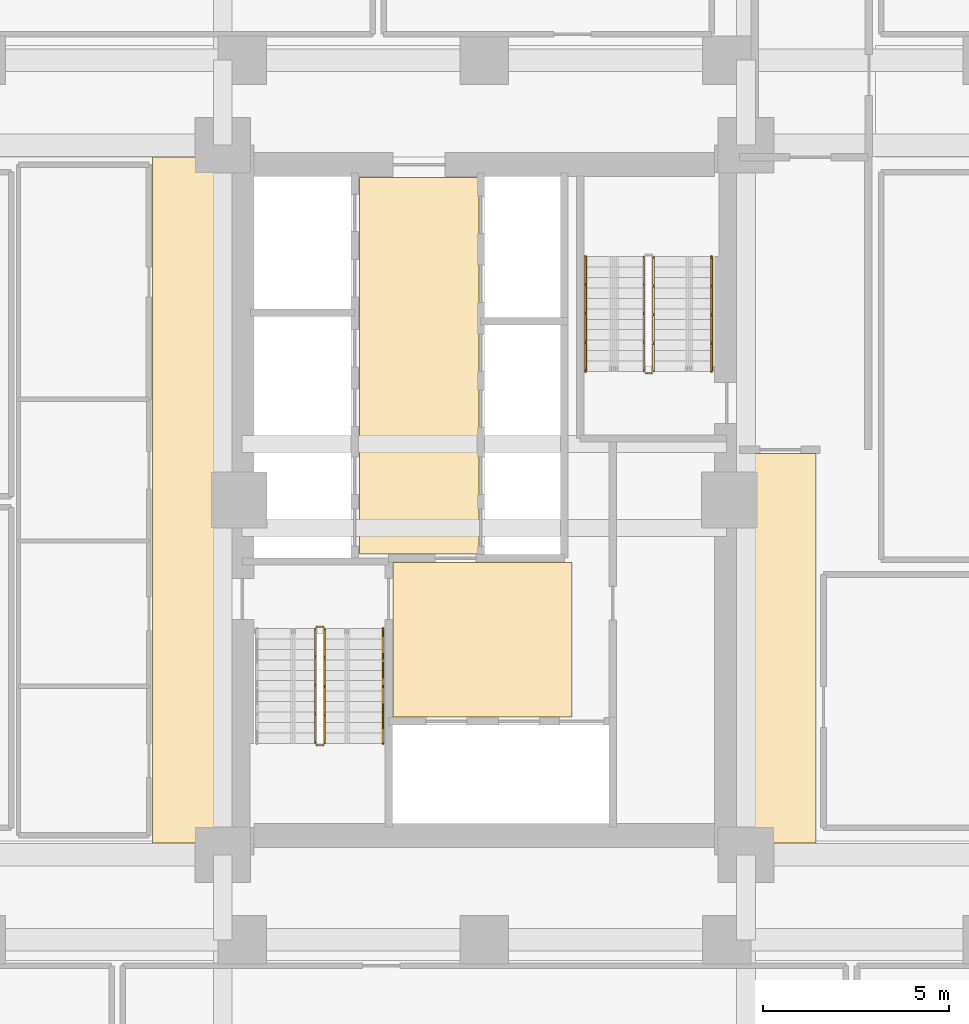
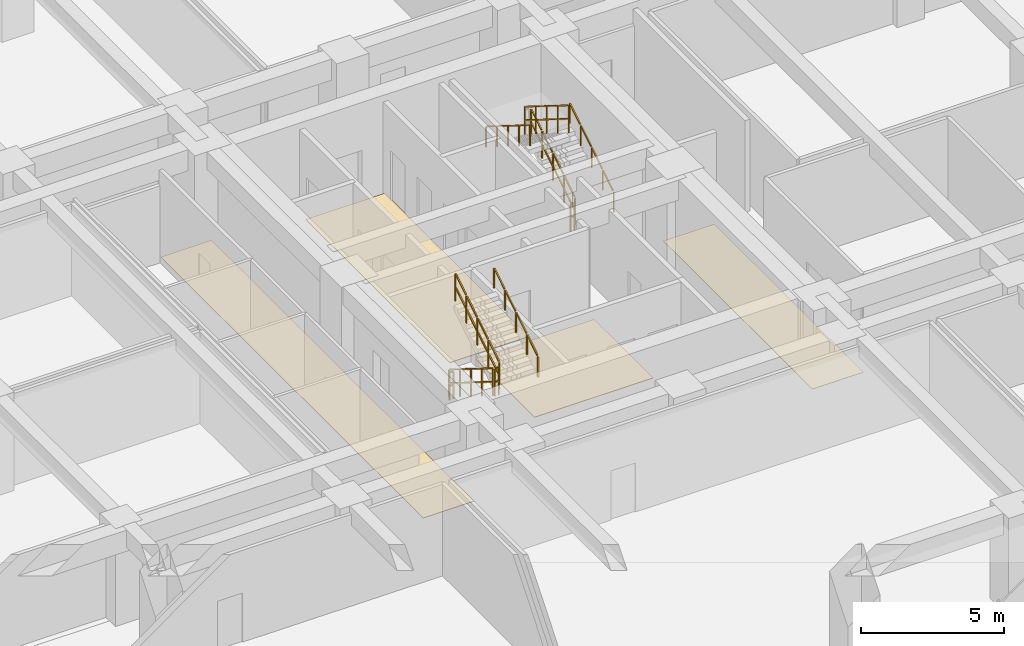
# One storey, part 21 of 24: 10 railings, 4 coverings.
"""IFC4 building model written with IfcOpenShell, lengths in metres."""

from ifc_helpers import new_model, si_unit, direction, frame, origin, origin_2d, place, context, subcontext, project, spatial, polyline, rectangle, outline, extrude, material, layer, layer_set, type_object, element, save


model = new_model("IFC4")

# Units and contexts
model_context = context("Model", 3, precision=1e-05, world=origin(), true_north=direction((0.0, 1.0)))
body_context = subcontext(model_context, "Body", "Model", "MODEL_VIEW")
ifc_project = project(units=[si_unit("LENGTHUNIT", "METRE"), si_unit("AREAUNIT", "SQUARE_METRE"), si_unit("VOLUMEUNIT", "CUBIC_METRE"), si_unit("PLANEANGLEUNIT", "RADIAN"), si_unit("MASSUNIT", "GRAM", prefix="KILO")], contexts=[model_context])

# Site, building, storey
site_placement = place(None, origin())
site = spatial("IfcSite", under=ifc_project, at=site_placement, CompositionType="ELEMENT")
building_placement = place(site_placement, origin())
building = spatial("IfcBuilding", under=site, at=building_placement, Name="Saelheon Loggia Tower", CompositionType="ELEMENT")
storey_placement = place(building_placement, origin())
storey = spatial("IfcBuildingStorey", under=building, at=storey_placement, Name="L00", CompositionType="ELEMENT", Elevation=0.0)

# Coverings
ifc_material_1 = material(Name="Vitrified Porcelain Floor Tile", Category="ceramic")
ifc_layer = layer(ifc_material_1, 0.02001953125)
ifc_layer_set = layer_set([ifc_layer], Name="Vitrified Porcelain Floor Tile")
covering_type = type_object("IfcCoveringType", Name="Cov_Floor_Porcelain", PredefinedType="FLOORING", material=ifc_layer_set)
covering_1_placement = place(storey_placement, origin())
element("IfcCovering", 1, at=covering_1_placement, inside=storey, type_object=covering_type, Name="L00 Corridor Porcelain Flooring", PredefinedType="FLOORING", context=body_context, shape_type="SweptSolid", body=[
    extrude(outline(polyline([(35.550048828125, 21.179931640625), (40.35009765625, 21.179931640625), (40.35009765625, 25.320068359375), (35.550048828125, 25.320068359375), (35.550048828125, 21.179931640625)])), origin(), (0.0, 0.0, 1.0), 0.02001953125),
])
covering_2_placement = place(storey_placement, origin())
element("IfcCovering", 2, at=covering_2_placement, inside=storey, type_object=covering_type, Name="L00 Corridor Porcelain Flooring", PredefinedType="FLOORING", context=body_context, shape_type="SweptSolid", body=[
    extrude(outline(polyline([(34.64990234375, 25.550048828125), (37.85009765625, 25.550048828125), (37.85009765625, 35.64990234375), (34.64990234375, 35.64990234375), (34.64990234375, 25.550048828125)])), origin(), (0.0, 0.0, 1.0), 0.02001953125),
])
covering_3_placement = place(storey_placement, origin())
element("IfcCovering", 3, at=covering_3_placement, inside=storey, type_object=covering_type, Name="L00 Corridor Porcelain Flooring", PredefinedType="FLOORING", context=body_context, shape_type="SweptSolid", body=[
    extrude(outline(polyline([(29.10009765625, 17.800048828125), (31.159912109375, 17.800048828125), (31.159912109375, 36.199951171875), (29.10009765625, 36.199951171875), (29.10009765625, 17.800048828125)])), origin(), (0.0, 0.0, 1.0), 0.02001953125),
])
covering_4_placement = place(storey_placement, origin())
element("IfcCovering", 4, at=covering_4_placement, inside=storey, type_object=covering_type, Name="L00 Corridor Porcelain Flooring", PredefinedType="FLOORING", context=body_context, shape_type="SweptSolid", body=[
    extrude(outline(polyline([(44.840087890625, 17.800048828125), (46.89990234375, 17.800048828125), (46.89990234375, 28.25), (44.840087890625, 28.25), (44.840087890625, 17.800048828125)])), origin(), (0.0, 0.0, 1.0), 0.02001953125),
])

# Railings
ifc_material_2 = material(Name="Galvanised Steel S275 Stairwell Guardrail", Category="steel")
railing_type_1 = type_object("IfcRailingType", Name="Guard_StairWell_RL_STG", PredefinedType="GUARDRAIL", material=ifc_material_2)
railing_1_placement = place(storey_placement, frame((33.4599609375, 23.550048828125, 0.175048828125)))
element("IfcRailing", 5, at=railing_1_placement, inside=storey, type_object=railing_type_1, Name="L00 ST1 stair guard 1", PredefinedType="GUARDRAIL", context=body_context, shape_type="SweptSolid", body=[
    extrude(rectangle(XDim=0.048095703125, YDim=0.048095703125, at=origin_2d()), frame((0.0, -0.028076171875, 1.193603515625), z_axis=(0.0, -0.847998304005, 0.529998940003), x_axis=(1.0, 0.0, 0.0)), (0.0, 0.0, 1.0), 0.841552734375),
    extrude(rectangle(XDim=0.048095703125, YDim=0.048095703125, at=origin_2d()), frame((0.0, -0.028076171875, 0.61767578125), z_axis=(0.0, -0.847998304005, 0.529998940003), x_axis=(1.0, 0.0, 0.0)), (0.0, 0.0, 1.0), 0.841552734375),
    extrude(rectangle(XDim=0.048095703125, YDim=0.048095703125, at=origin_2d()), frame((0.0, -0.798095703125, 1.6748046875), z_axis=(0.0, -0.847998304005, 0.529998940003), x_axis=(1.0, 0.0, 0.0)), (0.0, 0.0, 1.0), 0.841552734375),
    extrude(rectangle(XDim=0.048095703125, YDim=0.048095703125, at=origin_2d()), frame((0.0, -0.798095703125, 1.098876953125), z_axis=(0.0, -0.847998304005, 0.529998940003), x_axis=(1.0, 0.0, 0.0)), (0.0, 0.0, 1.0), 0.841552734375),
    extrude(rectangle(XDim=0.048095703125, YDim=0.048095703125, at=origin_2d()), frame((0.0, -1.568115234375, 2.156005859375), z_axis=(0.0, -0.847998304005, 0.529998940003), x_axis=(1.0, 0.0, 0.0)), (0.0, 0.0, 1.0), 0.841552734375),
    extrude(rectangle(XDim=0.048095703125, YDim=0.048095703125, at=origin_2d()), frame((0.0, -1.568115234375, 1.580078125), z_axis=(0.0, -0.847998304005, 0.529998940003), x_axis=(1.0, 0.0, 0.0)), (0.0, 0.0, 1.0), 0.841552734375),
    extrude(rectangle(XDim=0.048095703125, YDim=0.048095703125, at=origin_2d()), frame((0.0, -2.338134765625, 2.63720703125), z_axis=(0.0, -0.847998304005, 0.529998940003), x_axis=(1.0, 0.0, 0.0)), (0.0, 0.0, 1.0), 0.841552734375),
    extrude(rectangle(XDim=0.048095703125, YDim=0.048095703125, at=origin_2d()), frame((0.0, -2.338134765625, 2.061279296875), z_axis=(0.0, -0.847998304005, 0.529998940003), x_axis=(1.0, 0.0, 0.0)), (0.0, 0.0, 1.0), 0.841552734375),
    extrude(rectangle(XDim=0.0419921875, YDim=0.0419921875, at=origin_2d()), origin(), (0.0, 0.0, 1.0), 1.14794921875),
    extrude(rectangle(XDim=0.0419921875, YDim=0.0419921875, at=origin_2d()), frame((0.0, -0.77001953125, 0.481201171875)), (0.0, 0.0, 1.0), 1.14794921875),
    extrude(rectangle(XDim=0.0419921875, YDim=0.0419921875, at=origin_2d()), frame((0.0, -1.5400390625, 0.96240234375)), (0.0, 0.0, 1.0), 1.14794921875),
    extrude(rectangle(XDim=0.0419921875, YDim=0.0419921875, at=origin_2d()), frame((0.0, -2.31005859375, 1.44384765625)), (0.0, 0.0, 1.0), 1.14794921875),
    extrude(rectangle(XDim=0.0419921875, YDim=0.0419921875, at=origin_2d()), frame((0.0, -3.080078125, 1.925048828125)), (0.0, 0.0, 1.0), 1.14794921875),
])
railing_2_placement = place(storey_placement, frame((33.510009765625, 20.419921875, 2.10009765625)))
element("IfcRailing", 6, at=railing_2_placement, inside=storey, type_object=railing_type_1, Name="L00 ST1 stair guard 2", PredefinedType="GUARDRAIL", context=body_context, shape_type="SweptSolid", body=[
    extrude(rectangle(XDim=0.048095703125, YDim=0.048095703125, at=origin_2d()), frame((0.033203125, 0.0, 1.17578125), z_axis=(1.0, 0.0, 0.0), x_axis=(0.0, 1.0, 0.0)), (0.0, 0.0, 1.0), 0.093505859375),
    extrude(rectangle(XDim=0.048095703125, YDim=0.048095703125, at=origin_2d()), frame((0.033203125, 0.0, 0.60009765625), z_axis=(1.0, 0.0, 0.0), x_axis=(0.0, 1.0, 0.0)), (0.0, 0.0, 1.0), 0.093505859375),
    extrude(rectangle(XDim=0.0419921875, YDim=0.0419921875, at=origin_2d()), origin(), (0.0, 0.0, 1.0), 1.14794921875),
    extrude(rectangle(XDim=0.0419921875, YDim=0.0419921875, at=origin_2d()), frame((0.159912109375, 0.0, 0.0)), (0.0, 0.0, 1.0), 1.14794921875),
])
railing_3_placement = place(storey_placement, frame((33.719970703125, 20.469970703125, 2.27490234375)))
element("IfcRailing", 7, at=railing_3_placement, inside=storey, type_object=railing_type_1, Name="L00 ST1 stair guard 3", PredefinedType="GUARDRAIL", context=body_context, shape_type="SweptSolid", body=[
    extrude(rectangle(XDim=0.048095703125, YDim=0.048095703125, at=origin_2d()), frame((0.0, 0.028076171875, 1.193603515625), z_axis=(0.0, 0.847998304005, 0.529998940003), x_axis=(-1.0, 0.0, 0.0)), (0.0, 0.0, 1.0), 0.841552734375),
    extrude(rectangle(XDim=0.048095703125, YDim=0.048095703125, at=origin_2d()), frame((0.0, 0.028076171875, 0.61767578125), z_axis=(0.0, 0.847998304005, 0.529998940003), x_axis=(-1.0, 0.0, 0.0)), (0.0, 0.0, 1.0), 0.841552734375),
    extrude(rectangle(XDim=0.048095703125, YDim=0.048095703125, at=origin_2d()), frame((0.0, 0.798095703125, 1.6748046875), z_axis=(0.0, 0.847998304005, 0.529998940003), x_axis=(-1.0, 0.0, 0.0)), (0.0, 0.0, 1.0), 0.841552734375),
    extrude(rectangle(XDim=0.048095703125, YDim=0.048095703125, at=origin_2d()), frame((0.0, 0.798095703125, 1.098876953125), z_axis=(0.0, 0.847998304005, 0.529998940003), x_axis=(-1.0, 0.0, 0.0)), (0.0, 0.0, 1.0), 0.841552734375),
    extrude(rectangle(XDim=0.048095703125, YDim=0.048095703125, at=origin_2d()), frame((0.0, 1.568115234375, 2.156005859375), z_axis=(0.0, 0.847998304005, 0.529998940003), x_axis=(-1.0, 0.0, 0.0)), (0.0, 0.0, 1.0), 0.841552734375),
    extrude(rectangle(XDim=0.048095703125, YDim=0.048095703125, at=origin_2d()), frame((0.0, 1.568115234375, 1.580078125), z_axis=(0.0, 0.847998304005, 0.529998940003), x_axis=(-1.0, 0.0, 0.0)), (0.0, 0.0, 1.0), 0.841552734375),
    extrude(rectangle(XDim=0.048095703125, YDim=0.048095703125, at=origin_2d()), frame((0.0, 2.338134765625, 2.63720703125), z_axis=(0.0, 0.847998304005, 0.529998940003), x_axis=(-1.0, 0.0, 0.0)), (0.0, 0.0, 1.0), 0.841552734375),
    extrude(rectangle(XDim=0.048095703125, YDim=0.048095703125, at=origin_2d()), frame((0.0, 2.338134765625, 2.061279296875), z_axis=(0.0, 0.847998304005, 0.529998940003), x_axis=(-1.0, 0.0, 0.0)), (0.0, 0.0, 1.0), 0.841552734375),
    extrude(rectangle(XDim=0.0419921875, YDim=0.0419921875, at=origin_2d()), origin(), (0.0, 0.0, 1.0), 1.14794921875),
    extrude(rectangle(XDim=0.0419921875, YDim=0.0419921875, at=origin_2d()), frame((0.0, 0.77001953125, 0.481201171875)), (0.0, 0.0, 1.0), 1.14794921875),
    extrude(rectangle(XDim=0.0419921875, YDim=0.0419921875, at=origin_2d()), frame((0.0, 1.5400390625, 0.96240234375)), (0.0, 0.0, 1.0), 1.14794921875),
    extrude(rectangle(XDim=0.0419921875, YDim=0.0419921875, at=origin_2d()), frame((0.0, 2.31005859375, 1.44384765625)), (0.0, 0.0, 1.0), 1.14794921875),
    extrude(rectangle(XDim=0.0419921875, YDim=0.0419921875, at=origin_2d()), frame((0.0, 3.080078125, 1.925048828125)), (0.0, 0.0, 1.0), 1.14794921875),
])
railing_4_placement = place(storey_placement, frame((33.510009765625, 23.60009765625, 0.0)))
element("IfcRailing", 8, at=railing_4_placement, inside=storey, type_object=railing_type_1, Name="L00 ST1 stair guard 4", PredefinedType="GUARDRAIL", context=body_context, shape_type="SweptSolid", body=[
    extrude(rectangle(XDim=0.048095703125, YDim=0.048095703125, at=origin_2d()), frame((0.033203125, 0.0, 1.17578125), z_axis=(1.0, 0.0, 0.0), x_axis=(0.0, 1.0, 0.0)), (0.0, 0.0, 1.0), 0.093505859375),
    extrude(rectangle(XDim=0.048095703125, YDim=0.048095703125, at=origin_2d()), frame((0.033203125, 0.0, 0.60009765625), z_axis=(1.0, 0.0, 0.0), x_axis=(0.0, 1.0, 0.0)), (0.0, 0.0, 1.0), 0.093505859375),
    extrude(rectangle(XDim=0.0419921875, YDim=0.0419921875, at=origin_2d()), origin(), (0.0, 0.0, 1.0), 1.14794921875),
    extrude(rectangle(XDim=0.0419921875, YDim=0.0419921875, at=origin_2d()), frame((0.159912109375, 0.0, 0.0)), (0.0, 0.0, 1.0), 1.14794921875),
])
railing_5_placement = place(storey_placement, frame((42.5400390625, 30.449951171875, 0.175048828125)))
element("IfcRailing", 9, at=railing_5_placement, inside=storey, type_object=railing_type_1, Name="L00 ST2 stair guard 1", PredefinedType="GUARDRAIL", context=body_context, shape_type="SweptSolid", body=[
    extrude(rectangle(XDim=0.048095703125, YDim=0.048095703125, at=origin_2d()), frame((0.0, 0.028076171875, 1.193603515625), z_axis=(0.0, 0.847998304005, 0.529998940003), x_axis=(-1.0, 0.0, 0.0)), (0.0, 0.0, 1.0), 0.841552734375),
    extrude(rectangle(XDim=0.048095703125, YDim=0.048095703125, at=origin_2d()), frame((0.0, 0.028076171875, 0.61767578125), z_axis=(0.0, 0.847998304005, 0.529998940003), x_axis=(-1.0, 0.0, 0.0)), (0.0, 0.0, 1.0), 0.841552734375),
    extrude(rectangle(XDim=0.048095703125, YDim=0.048095703125, at=origin_2d()), frame((0.0, 0.798095703125, 1.6748046875), z_axis=(0.0, 0.847998304005, 0.529998940003), x_axis=(-1.0, 0.0, 0.0)), (0.0, 0.0, 1.0), 0.841552734375),
    extrude(rectangle(XDim=0.048095703125, YDim=0.048095703125, at=origin_2d()), frame((0.0, 0.798095703125, 1.098876953125), z_axis=(0.0, 0.847998304005, 0.529998940003), x_axis=(-1.0, 0.0, 0.0)), (0.0, 0.0, 1.0), 0.841552734375),
    extrude(rectangle(XDim=0.048095703125, YDim=0.048095703125, at=origin_2d()), frame((0.0, 1.568115234375, 2.156005859375), z_axis=(0.0, 0.847998304005, 0.529998940003), x_axis=(-1.0, 0.0, 0.0)), (0.0, 0.0, 1.0), 0.841552734375),
    extrude(rectangle(XDim=0.048095703125, YDim=0.048095703125, at=origin_2d()), frame((0.0, 1.568115234375, 1.580078125), z_axis=(0.0, 0.847998304005, 0.529998940003), x_axis=(-1.0, 0.0, 0.0)), (0.0, 0.0, 1.0), 0.841552734375),
    extrude(rectangle(XDim=0.048095703125, YDim=0.048095703125, at=origin_2d()), frame((0.0, 2.338134765625, 2.63720703125), z_axis=(0.0, 0.847998304005, 0.529998940003), x_axis=(-1.0, 0.0, 0.0)), (0.0, 0.0, 1.0), 0.841552734375),
    extrude(rectangle(XDim=0.048095703125, YDim=0.048095703125, at=origin_2d()), frame((0.0, 2.338134765625, 2.061279296875), z_axis=(0.0, 0.847998304005, 0.529998940003), x_axis=(-1.0, 0.0, 0.0)), (0.0, 0.0, 1.0), 0.841552734375),
    extrude(rectangle(XDim=0.0419921875, YDim=0.0419921875, at=origin_2d()), origin(), (0.0, 0.0, 1.0), 1.14794921875),
    extrude(rectangle(XDim=0.0419921875, YDim=0.0419921875, at=origin_2d()), frame((0.0, 0.77001953125, 0.481201171875)), (0.0, 0.0, 1.0), 1.14794921875),
    extrude(rectangle(XDim=0.0419921875, YDim=0.0419921875, at=origin_2d()), frame((0.0, 1.5400390625, 0.96240234375)), (0.0, 0.0, 1.0), 1.14794921875),
    extrude(rectangle(XDim=0.0419921875, YDim=0.0419921875, at=origin_2d()), frame((0.0, 2.31005859375, 1.44384765625)), (0.0, 0.0, 1.0), 1.14794921875),
    extrude(rectangle(XDim=0.0419921875, YDim=0.0419921875, at=origin_2d()), frame((0.0, 3.080078125, 1.925048828125)), (0.0, 0.0, 1.0), 1.14794921875),
])
railing_6_placement = place(storey_placement, frame((42.280029296875, 33.530029296875, 2.27490234375)))
element("IfcRailing", 10, at=railing_6_placement, inside=storey, type_object=railing_type_1, Name="L00 ST2 stair guard 3", PredefinedType="GUARDRAIL", context=body_context, shape_type="SweptSolid", body=[
    extrude(rectangle(XDim=0.048095703125, YDim=0.048095703125, at=origin_2d()), frame((0.0, -0.028076171875, 1.193603515625), z_axis=(0.0, -0.847998304005, 0.529998940003), x_axis=(1.0, 0.0, 0.0)), (0.0, 0.0, 1.0), 0.841552734375),
    extrude(rectangle(XDim=0.048095703125, YDim=0.048095703125, at=origin_2d()), frame((0.0, -0.028076171875, 0.61767578125), z_axis=(0.0, -0.847998304005, 0.529998940003), x_axis=(1.0, 0.0, 0.0)), (0.0, 0.0, 1.0), 0.841552734375),
    extrude(rectangle(XDim=0.048095703125, YDim=0.048095703125, at=origin_2d()), frame((0.0, -0.798095703125, 1.6748046875), z_axis=(0.0, -0.847998304005, 0.529998940003), x_axis=(1.0, 0.0, 0.0)), (0.0, 0.0, 1.0), 0.841552734375),
    extrude(rectangle(XDim=0.048095703125, YDim=0.048095703125, at=origin_2d()), frame((0.0, -0.798095703125, 1.098876953125), z_axis=(0.0, -0.847998304005, 0.529998940003), x_axis=(1.0, 0.0, 0.0)), (0.0, 0.0, 1.0), 0.841552734375),
    extrude(rectangle(XDim=0.048095703125, YDim=0.048095703125, at=origin_2d()), frame((0.0, -1.568115234375, 2.156005859375), z_axis=(0.0, -0.847998304005, 0.529998940003), x_axis=(1.0, 0.0, 0.0)), (0.0, 0.0, 1.0), 0.841552734375),
    extrude(rectangle(XDim=0.048095703125, YDim=0.048095703125, at=origin_2d()), frame((0.0, -1.568115234375, 1.580078125), z_axis=(0.0, -0.847998304005, 0.529998940003), x_axis=(1.0, 0.0, 0.0)), (0.0, 0.0, 1.0), 0.841552734375),
    extrude(rectangle(XDim=0.048095703125, YDim=0.048095703125, at=origin_2d()), frame((0.0, -2.338134765625, 2.63720703125), z_axis=(0.0, -0.847998304005, 0.529998940003), x_axis=(1.0, 0.0, 0.0)), (0.0, 0.0, 1.0), 0.841552734375),
    extrude(rectangle(XDim=0.048095703125, YDim=0.048095703125, at=origin_2d()), frame((0.0, -2.338134765625, 2.061279296875), z_axis=(0.0, -0.847998304005, 0.529998940003), x_axis=(1.0, 0.0, 0.0)), (0.0, 0.0, 1.0), 0.841552734375),
    extrude(rectangle(XDim=0.0419921875, YDim=0.0419921875, at=origin_2d()), origin(), (0.0, 0.0, 1.0), 1.14794921875),
    extrude(rectangle(XDim=0.0419921875, YDim=0.0419921875, at=origin_2d()), frame((0.0, -0.77001953125, 0.481201171875)), (0.0, 0.0, 1.0), 1.14794921875),
    extrude(rectangle(XDim=0.0419921875, YDim=0.0419921875, at=origin_2d()), frame((0.0, -1.5400390625, 0.96240234375)), (0.0, 0.0, 1.0), 1.14794921875),
    extrude(rectangle(XDim=0.0419921875, YDim=0.0419921875, at=origin_2d()), frame((0.0, -2.31005859375, 1.44384765625)), (0.0, 0.0, 1.0), 1.14794921875),
    extrude(rectangle(XDim=0.0419921875, YDim=0.0419921875, at=origin_2d()), frame((0.0, -3.080078125, 1.925048828125)), (0.0, 0.0, 1.0), 1.14794921875),
])
railing_7_placement = place(storey_placement, frame((42.489990234375, 30.39990234375, 0.0)))
element("IfcRailing", 11, at=railing_7_placement, inside=storey, type_object=railing_type_1, Name="L00 ST2 stair guard 4", PredefinedType="GUARDRAIL", context=body_context, shape_type="SweptSolid", body=[
    extrude(rectangle(XDim=0.048095703125, YDim=0.048095703125, at=origin_2d()), frame((-0.033203125, 0.0, 1.17578125), z_axis=(-1.0, 0.0, 0.0), x_axis=(0.0, -1.0, 0.0)), (0.0, 0.0, 1.0), 0.093505859375),
    extrude(rectangle(XDim=0.048095703125, YDim=0.048095703125, at=origin_2d()), frame((-0.033203125, 0.0, 0.60009765625), z_axis=(-1.0, 0.0, 0.0), x_axis=(0.0, -1.0, 0.0)), (0.0, 0.0, 1.0), 0.093505859375),
    extrude(rectangle(XDim=0.0419921875, YDim=0.0419921875, at=origin_2d()), origin(), (0.0, 0.0, 1.0), 1.14794921875),
    extrude(rectangle(XDim=0.0419921875, YDim=0.0419921875, at=origin_2d()), frame((-0.159912109375, 0.0, 0.0)), (0.0, 0.0, 1.0), 1.14794921875),
])
ifc_material_3 = material(Name="Stainless Steel 304 Tubular Handrail", Category="steel")
railing_type_2 = type_object("IfcRailingType", Name="Handrail_Stair_RL_HR1", PredefinedType="HANDRAIL", material=ifc_material_3)
for number, where, name in (
    (12, (35.280029296875, 20.469970703125, 2.27490234375), "L00 ST1 stair handrail 2"),
    (13, (44.10009765625, 30.449951171875, 0.175048828125), "L00 ST2 stair handrail 1"),
):
    element("IfcRailing", number, at=place(storey_placement, frame(where)), inside=storey, type_object=railing_type_2, Name=name, PredefinedType="HANDRAIL", context=body_context, shape_type="SweptSolid", body=[
        extrude(rectangle(XDim=0.048095703125, YDim=0.048095703125, at=origin_2d()), frame((0.0, 0.028076171875, 0.8935546875), z_axis=(0.0, 0.847998304005, 0.529998940003), x_axis=(-1.0, 0.0, 0.0)), (0.0, 0.0, 1.0), 0.841552734375),
        extrude(rectangle(XDim=0.048095703125, YDim=0.048095703125, at=origin_2d()), frame((0.0, 0.798095703125, 1.374755859375), z_axis=(0.0, 0.847998304005, 0.529998940003), x_axis=(-1.0, 0.0, 0.0)), (0.0, 0.0, 1.0), 0.841552734375),
        extrude(rectangle(XDim=0.048095703125, YDim=0.048095703125, at=origin_2d()), frame((0.0, 1.568115234375, 1.85595703125), z_axis=(0.0, 0.847998304005, 0.529998940003), x_axis=(-1.0, 0.0, 0.0)), (0.0, 0.0, 1.0), 0.841552734375),
        extrude(rectangle(XDim=0.048095703125, YDim=0.048095703125, at=origin_2d()), frame((0.0, 2.338134765625, 2.337158203125), z_axis=(0.0, 0.847998304005, 0.529998940003), x_axis=(-1.0, 0.0, 0.0)), (0.0, 0.0, 1.0), 0.841552734375),
        extrude(rectangle(XDim=0.0419921875, YDim=0.0419921875, at=origin_2d()), origin(), (0.0, 0.0, 1.0), 0.847900390625),
        extrude(rectangle(XDim=0.0419921875, YDim=0.0419921875, at=origin_2d()), frame((0.0, 0.77001953125, 0.481201171875)), (0.0, 0.0, 1.0), 0.847900390625),
        extrude(rectangle(XDim=0.0419921875, YDim=0.0419921875, at=origin_2d()), frame((0.0, 1.5400390625, 0.96240234375)), (0.0, 0.0, 1.0), 0.847900390625),
        extrude(rectangle(XDim=0.0419921875, YDim=0.0419921875, at=origin_2d()), frame((0.0, 2.31005859375, 1.44384765625)), (0.0, 0.0, 1.0), 0.847900390625),
        extrude(rectangle(XDim=0.0419921875, YDim=0.0419921875, at=origin_2d()), frame((0.0, 3.080078125, 1.925048828125)), (0.0, 0.0, 1.0), 0.847900390625),
    ])
railing_8_placement = place(storey_placement, frame((40.719970703125, 33.530029296875, 2.27490234375)))
element("IfcRailing", 14, at=railing_8_placement, inside=storey, type_object=railing_type_2, Name="L00 ST2 stair handrail 2", PredefinedType="HANDRAIL", context=body_context, shape_type="SweptSolid", body=[
    extrude(rectangle(XDim=0.048095703125, YDim=0.048095703125, at=origin_2d()), frame((0.0, -0.028076171875, 0.8935546875), z_axis=(0.0, -0.847998304005, 0.529998940003), x_axis=(1.0, 0.0, 0.0)), (0.0, 0.0, 1.0), 0.841552734375),
    extrude(rectangle(XDim=0.048095703125, YDim=0.048095703125, at=origin_2d()), frame((0.0, -0.798095703125, 1.374755859375), z_axis=(0.0, -0.847998304005, 0.529998940003), x_axis=(1.0, 0.0, 0.0)), (0.0, 0.0, 1.0), 0.841552734375),
    extrude(rectangle(XDim=0.048095703125, YDim=0.048095703125, at=origin_2d()), frame((0.0, -1.568115234375, 1.85595703125), z_axis=(0.0, -0.847998304005, 0.529998940003), x_axis=(1.0, 0.0, 0.0)), (0.0, 0.0, 1.0), 0.841552734375),
    extrude(rectangle(XDim=0.048095703125, YDim=0.048095703125, at=origin_2d()), frame((0.0, -2.338134765625, 2.337158203125), z_axis=(0.0, -0.847998304005, 0.529998940003), x_axis=(1.0, 0.0, 0.0)), (0.0, 0.0, 1.0), 0.841552734375),
    extrude(rectangle(XDim=0.0419921875, YDim=0.0419921875, at=origin_2d()), origin(), (0.0, 0.0, 1.0), 0.847900390625),
    extrude(rectangle(XDim=0.0419921875, YDim=0.0419921875, at=origin_2d()), frame((0.0, -0.77001953125, 0.481201171875)), (0.0, 0.0, 1.0), 0.847900390625),
    extrude(rectangle(XDim=0.0419921875, YDim=0.0419921875, at=origin_2d()), frame((0.0, -1.5400390625, 0.96240234375)), (0.0, 0.0, 1.0), 0.847900390625),
    extrude(rectangle(XDim=0.0419921875, YDim=0.0419921875, at=origin_2d()), frame((0.0, -2.31005859375, 1.44384765625)), (0.0, 0.0, 1.0), 0.847900390625),
    extrude(rectangle(XDim=0.0419921875, YDim=0.0419921875, at=origin_2d()), frame((0.0, -3.080078125, 1.925048828125)), (0.0, 0.0, 1.0), 0.847900390625),
])

save(model, "model.ifc")
